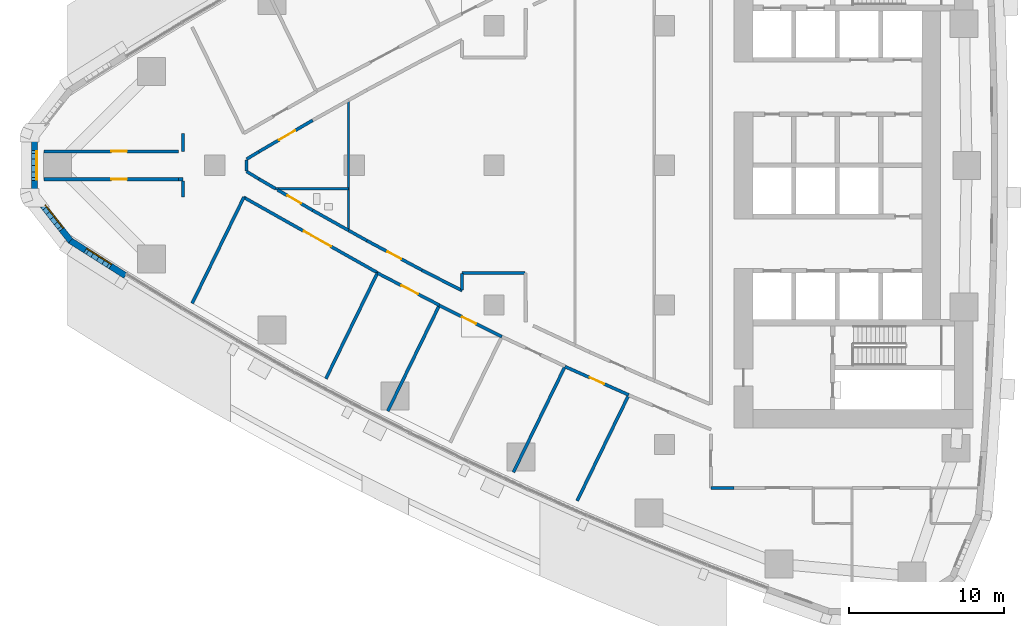
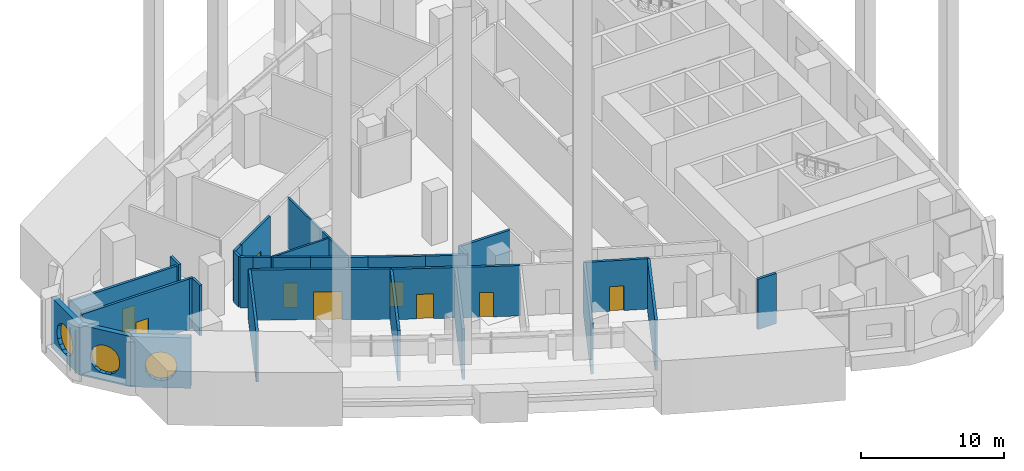
# One storey, part 9 of 20: 32 walls, 9 doors, 3 windows, 12 openings.
"""IFC4 building model written with IfcOpenShell, lengths in metres."""

from ifc_helpers import new_model, si_unit, direction, frame, frame_2d, origin, place, context, subcontext, project, spatial, polyline, rectangle, outline, extrude, material, layer, layer_set, type_object, element, fill, save


model = new_model("IFC4")

# Units and contexts
model_context = context("Model", 3, precision=1e-05, world=origin(), true_north=direction((0.0, 1.0)))
body_context = subcontext(model_context, "Body", "Model", "MODEL_VIEW")
ifc_project = project(units=[si_unit("LENGTHUNIT", "METRE"), si_unit("AREAUNIT", "SQUARE_METRE"), si_unit("VOLUMEUNIT", "CUBIC_METRE"), si_unit("PLANEANGLEUNIT", "RADIAN"), si_unit("MASSUNIT", "GRAM", prefix="KILO")], contexts=[model_context])

# Site, building, storey
site_placement = place(None, origin())
site = spatial("IfcSite", under=ifc_project, at=site_placement, CompositionType="ELEMENT")
building_placement = place(site_placement, origin())
building = spatial("IfcBuilding", under=site, at=building_placement, Name="Ostrand Prow Hotel Tower", CompositionType="ELEMENT")
storey_placement = place(building_placement, frame((0.0, 0.0, 35.0)))
storey = spatial("IfcBuildingStorey", under=building, at=storey_placement, Name="L06", CompositionType="ELEMENT", Elevation=35.0)

# Walls
ifc_material_1 = material(Name="Plasterboard partition")
ifc_layer_1 = layer(ifc_material_1, 0.14990234375)
ifc_layer_set_1 = layer_set([ifc_layer_1], Name="Plasterboard partition")
wall_type_1 = type_object("IfcWallType", Name="Partition 150 room partition", PredefinedType="PARTITIONING", material=ifc_layer_set_1)
wall_1_placement = place(storey_placement, frame((19.92578125, -1.510498046875, 0.0), z_axis=(0.0, 0.0, 1.0), x_axis=(1.0, 0.0, 0.0)))
element("IfcWall", 1, at=wall_1_placement, inside=storey, type_object=wall_type_1, Name="ROOM PARTITION", PredefinedType="PARTITIONING", context=body_context, shape_type="SweptSolid", body=[
    extrude(rectangle(XDim=4.69873046875, YDim=0.14990234375, at=frame_2d((2.349365234375, 0.0))), origin(), (0.0, 0.0, 1.0), 4.300048828125),
])
wall_2_placement = place(storey_placement, frame((24.62451171875, -4.196044921875, 0.0), z_axis=(0.0, 0.0, 1.0), x_axis=(0.0, 1.0, 0.0)))
element("IfcWall", 2, at=wall_2_placement, inside=storey, type_object=wall_type_1, Name="ROOM PARTITION", PredefinedType="PARTITIONING", context=body_context, shape_type="SweptSolid", body=[
    extrude(rectangle(XDim=8.39208984375, YDim=0.14990234375, at=frame_2d((4.196044921875, 0.0))), origin(), (0.0, 0.0, 1.0), 4.300048828125),
])

# Wall, opening, door
ifc_material_2 = material(Name="Plasterboard partition")
ifc_layer_2 = layer(ifc_material_2, 0.199951171875)
ifc_layer_set_2 = layer_set([ifc_layer_2], Name="Plasterboard partition")
wall_type_2 = type_object("IfcWallType", Name="Partition 200 corridor wall", PredefinedType="PARTITIONING", material=ifc_layer_set_2)
wall_3_placement = place(storey_placement, frame((17.87353515625, -2.068115234375, 0.0), z_axis=(0.0, 0.0, 1.0), x_axis=(0.871165632804, -0.490989246544, 0.0)))
wall_3 = element("IfcWall", 3, at=wall_3_placement, inside=storey, type_object=wall_type_2, Name="CORRIDOR WALL", PredefinedType="PARTITIONING", context=body_context, shape_type="SweptSolid", body=[
    extrude(rectangle(XDim=9.901123046875, YDim=0.199951171875, at=frame_2d((4.95068359375, 0.0))), origin(), (0.0, 0.0, 1.0), 4.300048828125),
])
opening_1_placement = place(wall_3_placement, frame((4.45068359375, 0.0, 0.0)))
opening_1 = element("IfcOpeningElement", 4, at=opening_1_placement, cuts=wall_3, Name="Opening D20", PredefinedType="OPENING", context=body_context, shape_type="SweptSolid", body=[
    extrude(rectangle(XDim=2.0, YDim=2.39990234375, at=frame_2d((1.0, 1.199951171875))), frame((0.0, 0.10986328125, 0.0), z_axis=(0.0, -1.0, 0.0), x_axis=(1.0, 0.0, 0.0)), (0.0, 0.0, 1.0), 0.219970703125),
])
ifc_material_3 = material(Name="Timber door leaf", Category="wood")
door_type_1 = type_object("IfcDoorType", Name="Double door 2000", OperationType="DOUBLE_DOOR_SINGLE_SWING", PredefinedType="DOOR", material=ifc_material_3)
door_1_placement = place(opening_1_placement, origin())
door_1 = element("IfcDoor", 5, at=door_1_placement, inside=storey, type_object=door_type_1, Name="DOOR", OperationType="DOUBLE_DOOR_SINGLE_SWING", OverallHeight=2.39990234375, OverallWidth=2.0, PredefinedType="DOOR", context=body_context, shape_type="SweptSolid", body=[
    extrude(rectangle(XDim=2.0, YDim=2.39990234375, at=frame_2d((1.0, 1.199951171875))), frame((0.0, 0.02490234375, 0.0), z_axis=(0.0, -1.0, 0.0), x_axis=(1.0, 0.0, 0.0)), (0.0, 0.0, 1.0), 0.050048828125),
])
fill(opening_1, door_1)

wall_4_placement = place(storey_placement, frame((26.490234375, -6.947509765625, 0.0), z_axis=(0.0, 0.0, 1.0), x_axis=(0.887638836985, -0.460540220911, 0.0)))
wall_4 = element("IfcWall", 6, at=wall_4_placement, inside=storey, type_object=wall_type_2, Name="CORRIDOR WALL", PredefinedType="PARTITIONING", context=body_context, shape_type="SweptSolid", body=[
    extrude(rectangle(XDim=4.50439453125, YDim=0.199951171875, at=frame_2d((2.252197265625, 0.0))), origin(), (0.0, 0.0, 1.0), 4.300048828125),
])
opening_2_placement = place(wall_4_placement, frame((1.752197265625, 0.0, 0.0)))
opening_2 = element("IfcOpeningElement", 7, at=opening_2_placement, cuts=wall_4, Name="Opening D12", PredefinedType="OPENING", context=body_context, shape_type="SweptSolid", body=[
    extrude(rectangle(XDim=1.199951171875, YDim=2.10009765625, at=frame_2d((0.60009765625, 1.050048828125))), frame((0.0, 0.10986328125, 0.0), z_axis=(0.0, -1.0, 0.0), x_axis=(1.0, 0.0, 0.0)), (0.0, 0.0, 1.0), 0.219970703125),
])
ifc_material_4 = material(Name="Steel service door", Category="steel")
door_type_2 = type_object("IfcDoorType", Name="Service door 1200", OperationType="SINGLE_SWING_RIGHT", PredefinedType="DOOR", material=ifc_material_4)
door_2_placement = place(opening_2_placement, origin())
door_2 = element("IfcDoor", 8, at=door_2_placement, inside=storey, type_object=door_type_2, Name="DOOR", OperationType="SINGLE_SWING_RIGHT", OverallHeight=2.10009765625, OverallWidth=1.199951171875, PredefinedType="DOOR", context=body_context, shape_type="SweptSolid", body=[
    extrude(rectangle(XDim=1.199951171875, YDim=2.10009765625, at=frame_2d((0.60009765625, 1.050048828125))), frame((0.0, 0.02490234375, 0.0), z_axis=(0.0, -1.0, 0.0), x_axis=(1.0, 0.0, 0.0)), (0.0, 0.0, 1.0), 0.050048828125),
])
fill(opening_2, door_2)

wall_5_placement = place(storey_placement, frame((30.479736328125, -9.039794921875, 0.0), z_axis=(0.0, 0.0, 1.0), x_axis=(0.894989913054, -0.446086376761, 0.0)))
wall_5 = element("IfcWall", 9, at=wall_5_placement, inside=storey, type_object=wall_type_2, Name="CORRIDOR WALL", PredefinedType="PARTITIONING", context=body_context, shape_type="SweptSolid", body=[
    extrude(rectangle(XDim=4.50634765625, YDim=0.199951171875, at=frame_2d((2.253173828125, 0.0))), origin(), (0.0, 0.0, 1.0), 4.300048828125),
])
opening_3_placement = place(wall_5_placement, frame((1.64990234375, 0.0, 0.0)))
opening_3 = element("IfcOpeningElement", 10, at=opening_3_placement, cuts=wall_5, Name="Opening D1", PredefinedType="OPENING", context=body_context, shape_type="SweptSolid", body=[
    extrude(rectangle(XDim=1.0, YDim=2.10009765625, at=frame_2d((0.5, 1.050048828125))), frame((0.0, 0.10986328125, 0.0), z_axis=(0.0, -1.0, 0.0), x_axis=(1.0, 0.0, 0.0)), (0.0, 0.0, 1.0), 0.219970703125),
])
ifc_material_5 = material(Name="Timber door leaf", Category="wood")
door_type_3 = type_object("IfcDoorType", Name="Guest room door 1000", OperationType="SINGLE_SWING_LEFT", PredefinedType="DOOR", material=ifc_material_5)
door_3_placement = place(opening_3_placement, origin())
door_3 = element("IfcDoor", 11, at=door_3_placement, inside=storey, type_object=door_type_3, Name="DOOR", OperationType="SINGLE_SWING_LEFT", OverallHeight=2.10009765625, OverallWidth=1.0, PredefinedType="DOOR", context=body_context, shape_type="SweptSolid", body=[
    extrude(rectangle(XDim=1.0, YDim=2.10009765625, at=frame_2d((0.5, 1.050048828125))), frame((0.0, 0.02490234375, 0.0), z_axis=(0.0, -1.0, 0.0), x_axis=(1.0, 0.0, 0.0)), (0.0, 0.0, 1.0), 0.050048828125),
])
fill(opening_3, door_3)

wall_6_placement = place(storey_placement, frame((38.584716796875, -12.981201171875, 0.0), z_axis=(0.0, 0.0, 1.0), x_axis=(0.914010307464, -0.40569096348, 0.0)))
wall_6 = element("IfcWall", 12, at=wall_6_placement, inside=storey, type_object=wall_type_2, Name="CORRIDOR WALL", PredefinedType="PARTITIONING", context=body_context, shape_type="SweptSolid", body=[
    extrude(rectangle(XDim=4.505615234375, YDim=0.199951171875, at=frame_2d((2.2529296875, 0.0))), origin(), (0.0, 0.0, 1.0), 4.300048828125),
])
opening_4_placement = place(wall_6_placement, frame((1.752685546875, 0.0, 0.0)))
opening_4 = element("IfcOpeningElement", 13, at=opening_4_placement, cuts=wall_6, Name="Opening D1", PredefinedType="OPENING", context=body_context, shape_type="SweptSolid", body=[
    extrude(rectangle(XDim=1.0, YDim=2.10009765625, at=frame_2d((0.5, 1.050048828125))), frame((0.0, 0.10986328125, 0.0), z_axis=(0.0, -1.0, 0.0), x_axis=(1.0, 0.0, 0.0)), (0.0, 0.0, 1.0), 0.219970703125),
])
door_4_placement = place(opening_4_placement, origin())
door_4 = element("IfcDoor", 14, at=door_4_placement, inside=storey, type_object=door_type_3, Name="DOOR", OperationType="SINGLE_SWING_LEFT", OverallHeight=2.10009765625, OverallWidth=1.0, PredefinedType="DOOR", context=body_context, shape_type="SweptSolid", body=[
    extrude(rectangle(XDim=1.0, YDim=2.10009765625, at=frame_2d((0.5, 1.050048828125))), frame((0.0, 0.02490234375, 0.0), z_axis=(0.0, -1.0, 0.0), x_axis=(1.0, 0.0, 0.0)), (0.0, 0.0, 1.0), 0.050048828125),
])
fill(opening_4, door_4)

wall_7_placement = place(storey_placement, frame((22.31201171875, -2.903076171875, 0.0), z_axis=(0.0, 0.0, 1.0), x_axis=(-0.863687380961, 0.504027884118, 0.0)))
wall_7 = element("IfcWall", 15, at=wall_7_placement, inside=storey, type_object=wall_type_2, Name="CORRIDOR WALL", PredefinedType="PARTITIONING", context=body_context, shape_type="SweptSolid", body=[
    extrude(rectangle(XDim=2.61279296875, YDim=0.199951171875, at=frame_2d((1.306396484375, 0.0))), origin(), (0.0, 0.0, 1.0), 4.300048828125),
])
opening_5_placement = place(wall_7_placement, frame((0.88134765625, 0.0, 0.0)))
opening_5 = element("IfcOpeningElement", 16, at=opening_5_placement, cuts=wall_7, Name="Opening D1", PredefinedType="OPENING", context=body_context, shape_type="SweptSolid", body=[
    extrude(rectangle(XDim=1.0, YDim=2.10009765625, at=frame_2d((0.5, 1.050048828125))), frame((0.0, 0.10986328125, 0.0), z_axis=(0.0, -1.0, 0.0), x_axis=(1.0, 0.0, 0.0)), (0.0, 0.0, 1.0), 0.219970703125),
])
door_5_placement = place(opening_5_placement, origin())
door_5 = element("IfcDoor", 17, at=door_5_placement, inside=storey, type_object=door_type_3, Name="DOOR", OperationType="SINGLE_SWING_LEFT", OverallHeight=2.10009765625, OverallWidth=1.0, PredefinedType="DOOR", context=body_context, shape_type="SweptSolid", body=[
    extrude(rectangle(XDim=1.0, YDim=2.10009765625, at=frame_2d((0.5, 1.050048828125))), frame((0.0, 0.02490234375, 0.0), z_axis=(0.0, -1.0, 0.0), x_axis=(1.0, 0.0, 0.0)), (0.0, 0.0, 1.0), 0.050048828125),
])
fill(opening_5, door_5)

# Wall
wall_8_placement = place(storey_placement, frame((24.62451171875, -4.196044921875, 0.0), z_axis=(0.0, 0.0, 1.0), x_axis=(-0.87283266248, 0.48801961365, 0.0)))
element("IfcWall", 18, at=wall_8_placement, inside=storey, type_object=wall_type_2, Name="CORRIDOR WALL", PredefinedType="PARTITIONING", context=body_context, shape_type="SweptSolid", body=[
    extrude(rectangle(XDim=2.6494140625, YDim=0.199951171875, at=frame_2d((1.32470703125, 0.0))), origin(), (0.0, 0.0, 1.0), 4.300048828125),
])

# Wall, opening, door
wall_9_placement = place(storey_placement, frame((18.843505859375, 0.879150390625, 0.0), z_axis=(0.0, 0.0, 1.0), x_axis=(0.863710538269, 0.503988200341, 0.0)))
wall_9 = element("IfcWall", 19, at=wall_9_placement, inside=storey, type_object=wall_type_2, Name="CORRIDOR WALL", PredefinedType="PARTITIONING", context=body_context, shape_type="SweptSolid", body=[
    extrude(rectangle(XDim=4.015869140625, YDim=0.199951171875, at=frame_2d((2.0078125, 0.0))), origin(), (0.0, 0.0, 1.0), 4.300048828125),
])
opening_6_placement = place(wall_9_placement, frame((1.5078125, 0.0, 0.0)))
opening_6 = element("IfcOpeningElement", 20, at=opening_6_placement, cuts=wall_9, Name="Opening D12", PredefinedType="OPENING", context=body_context, shape_type="SweptSolid", body=[
    extrude(rectangle(XDim=1.199951171875, YDim=2.10009765625, at=frame_2d((0.60009765625, 1.050048828125))), frame((0.0, 0.10986328125, 0.0), z_axis=(0.0, -1.0, 0.0), x_axis=(1.0, 0.0, 0.0)), (0.0, 0.0, 1.0), 0.219970703125),
])
door_6_placement = place(opening_6_placement, origin())
door_6 = element("IfcDoor", 21, at=door_6_placement, inside=storey, type_object=door_type_2, Name="DOOR", OperationType="SINGLE_SWING_RIGHT", OverallHeight=2.10009765625, OverallWidth=1.199951171875, PredefinedType="DOOR", context=body_context, shape_type="SweptSolid", body=[
    extrude(rectangle(XDim=1.199951171875, YDim=2.10009765625, at=frame_2d((0.60009765625, 1.050048828125))), frame((0.0, 0.02490234375, 0.0), z_axis=(0.0, -1.0, 0.0), x_axis=(1.0, 0.0, 0.0)), (0.0, 0.0, 1.0), 0.050048828125),
])
fill(opening_6, door_6)

# Walls
for number, where, z_axis, x_axis, name in (
    (22, (18.843505859375, -0.879150390625, 0.0), (0.0, 0.0, 1.0), (-0.8542290073, 0.519896915828, 0.0), "CORRIDOR WALL"),
    (23, (18.050048828125, 0.396240234375, 0.0), (0.0, 0.0, 1.0), (0.8542290073, 0.519896915828, 0.0), "CORRIDOR WALL"),
):
    element("IfcWall", number, at=place(storey_placement, frame(where, z_axis=z_axis, x_axis=x_axis)), inside=storey, type_object=wall_type_2, Name=name, PredefinedType="PARTITIONING", context=body_context, shape_type="SweptSolid", body=[
        extrude(rectangle(XDim=0.928955078125, YDim=0.199951171875, at=frame_2d((0.46435546875, 0.0))), origin(), (0.0, 0.0, 1.0), 4.300048828125),
    ])
wall_10_placement = place(storey_placement, frame((19.92578125, -1.510498046875, 0.0), z_axis=(0.0, 0.0, 1.0), x_axis=(-0.8637718337, 0.503883140525, 0.0)))
element("IfcWall", 24, at=wall_10_placement, inside=storey, type_object=wall_type_2, Name="CORRIDOR WALL", PredefinedType="PARTITIONING", context=body_context, shape_type="SweptSolid", body=[
    extrude(rectangle(XDim=1.2529296875, YDim=0.199951171875, at=frame_2d((0.62646484375, 0.0))), origin(), (0.0, 0.0, 1.0), 4.300048828125),
])

# Wall, opening, door
wall_11_placement = place(storey_placement, frame((29.357421875, -6.758056640625, 0.0), z_axis=(0.0, 0.0, 1.0), x_axis=(-0.881655245922, 0.471894084874, 0.0)))
wall_11 = element("IfcWall", 25, at=wall_11_placement, inside=storey, type_object=wall_type_2, Name="CORRIDOR WALL", PredefinedType="PARTITIONING", context=body_context, shape_type="SweptSolid", body=[
    extrude(rectangle(XDim=4.015869140625, YDim=0.199951171875, at=frame_2d((2.0078125, 0.0))), origin(), (0.0, 0.0, 1.0), 4.300048828125),
])
opening_7_placement = place(wall_11_placement, frame((1.5078125, 0.0, 0.0)))
opening_7 = element("IfcOpeningElement", 26, at=opening_7_placement, cuts=wall_11, Name="Opening D1", PredefinedType="OPENING", context=body_context, shape_type="SweptSolid", body=[
    extrude(rectangle(XDim=1.0, YDim=2.10009765625, at=frame_2d((0.5, 1.050048828125))), frame((0.0, 0.10986328125, 0.0), z_axis=(0.0, -1.0, 0.0), x_axis=(1.0, 0.0, 0.0)), (0.0, 0.0, 1.0), 0.219970703125),
])
door_7_placement = place(opening_7_placement, origin())
door_7 = element("IfcDoor", 27, at=door_7_placement, inside=storey, type_object=door_type_3, Name="DOOR", OperationType="SINGLE_SWING_LEFT", OverallHeight=2.10009765625, OverallWidth=1.0, PredefinedType="DOOR", context=body_context, shape_type="SweptSolid", body=[
    extrude(rectangle(XDim=1.0, YDim=2.10009765625, at=frame_2d((0.5, 1.050048828125))), frame((0.0, 0.02490234375, 0.0), z_axis=(0.0, -1.0, 0.0), x_axis=(1.0, 0.0, 0.0)), (0.0, 0.0, 1.0), 0.050048828125),
])
fill(opening_7, door_7)

# Walls
wall_12_placement = place(storey_placement, frame((31.949951171875, -8.084716796875, 0.0), z_axis=(0.0, 0.0, 1.0), x_axis=(-0.890213377055, 0.455543788579, 0.0)))
element("IfcWall", 28, at=wall_12_placement, inside=storey, type_object=wall_type_2, Name="CORRIDOR WALL", PredefinedType="PARTITIONING", context=body_context, shape_type="SweptSolid", body=[
    extrude(rectangle(XDim=2.912353515625, YDim=0.199951171875, at=frame_2d((1.4560546875, 0.0))), origin(), (0.0, 0.0, 1.0), 4.300048828125),
])
wall_13_placement = place(storey_placement, frame((25.81689453125, -4.863037109375, 0.0), z_axis=(0.0, 0.0, 1.0), x_axis=(-0.872737500828, 0.488189773191, 0.0)))
element("IfcWall", 29, at=wall_13_placement, inside=storey, type_object=wall_type_2, Name="CORRIDOR WALL", PredefinedType="PARTITIONING", context=body_context, shape_type="SweptSolid", body=[
    extrude(rectangle(XDim=1.3662109375, YDim=0.199951171875, at=frame_2d((0.68310546875, 0.0))), origin(), (0.0, 0.0, 1.0), 4.300048828125),
])

# Wall, opening, door
wall_14_placement = place(storey_placement, frame((4.977294921875, 0.89990234375, 0.0), z_axis=(0.0, 0.0, 1.0), x_axis=(1.0, 0.0, 0.0)))
wall_14 = element("IfcWall", 30, at=wall_14_placement, inside=storey, type_object=wall_type_2, Name="CORRIDOR WALL", PredefinedType="PARTITIONING", context=body_context, shape_type="SweptSolid", body=[
    extrude(rectangle(XDim=8.672607421875, YDim=0.199951171875, at=frame_2d((4.33642578125, 0.0))), origin(), (0.0, 0.0, 1.0), 4.300048828125),
])
opening_8_placement = place(wall_14_placement, frame((4.344970703125, 0.0, 0.0)))
opening_8 = element("IfcOpeningElement", 31, at=opening_8_placement, cuts=wall_14, Name="Opening D1", PredefinedType="OPENING", context=body_context, shape_type="SweptSolid", body=[
    extrude(rectangle(XDim=1.0, YDim=2.10009765625, at=frame_2d((0.5, 1.050048828125))), frame((0.0, 0.10986328125, 0.0), z_axis=(0.0, -1.0, 0.0), x_axis=(1.0, 0.0, 0.0)), (0.0, 0.0, 1.0), 0.219970703125),
])
door_8_placement = place(opening_8_placement, origin())
door_8 = element("IfcDoor", 32, at=door_8_placement, inside=storey, type_object=door_type_3, Name="DOOR", OperationType="SINGLE_SWING_LEFT", OverallHeight=2.10009765625, OverallWidth=1.0, PredefinedType="DOOR", context=body_context, shape_type="SweptSolid", body=[
    extrude(rectangle(XDim=1.0, YDim=2.10009765625, at=frame_2d((0.5, 1.050048828125))), frame((0.0, 0.02490234375, 0.0), z_axis=(0.0, -1.0, 0.0), x_axis=(1.0, 0.0, 0.0)), (0.0, 0.0, 1.0), 0.050048828125),
])
fill(opening_8, door_8)

wall_15_placement = place(storey_placement, frame((4.977294921875, -0.89990234375, 0.0), z_axis=(0.0, 0.0, 1.0), x_axis=(1.0, 0.0, 0.0)))
wall_15 = element("IfcWall", 33, at=wall_15_placement, inside=storey, type_object=wall_type_2, Name="CORRIDOR WALL", PredefinedType="PARTITIONING", context=body_context, shape_type="SweptSolid", body=[
    extrude(rectangle(XDim=8.672607421875, YDim=0.199951171875, at=frame_2d((4.33642578125, 0.0))), origin(), (0.0, 0.0, 1.0), 4.300048828125),
])
opening_9_placement = place(wall_15_placement, frame((4.344970703125, 0.0, 0.0)))
opening_9 = element("IfcOpeningElement", 34, at=opening_9_placement, cuts=wall_15, Name="Opening D1R", PredefinedType="OPENING", context=body_context, shape_type="SweptSolid", body=[
    extrude(rectangle(XDim=1.0, YDim=2.10009765625, at=frame_2d((0.5, 1.050048828125))), frame((0.0, 0.10986328125, 0.0), z_axis=(0.0, -1.0, 0.0), x_axis=(1.0, 0.0, 0.0)), (0.0, 0.0, 1.0), 0.219970703125),
])
ifc_material_6 = material(Name="Timber door leaf", Category="wood")
door_type_4 = type_object("IfcDoorType", Name="Guest room door 1000 right", OperationType="SINGLE_SWING_RIGHT", PredefinedType="DOOR", material=ifc_material_6)
door_9_placement = place(opening_9_placement, origin())
door_9 = element("IfcDoor", 35, at=door_9_placement, inside=storey, type_object=door_type_4, Name="DOOR", OperationType="SINGLE_SWING_RIGHT", OverallHeight=2.10009765625, OverallWidth=1.0, PredefinedType="DOOR", context=body_context, shape_type="SweptSolid", body=[
    extrude(rectangle(XDim=1.0, YDim=2.10009765625, at=frame_2d((0.5, 1.050048828125))), frame((0.0, 0.02490234375, 0.0), z_axis=(0.0, -1.0, 0.0), x_axis=(1.0, 0.0, 0.0)), (0.0, 0.0, 1.0), 0.050048828125),
])
fill(opening_9, door_9)

# Walls
wall_16_placement = place(storey_placement, frame((18.054931640625, -0.356689453125, 0.0), z_axis=(0.0, 0.0, 1.0), x_axis=(0.0, 1.0, 0.0)))
element("IfcWall", 36, at=wall_16_placement, inside=storey, type_object=wall_type_2, Name="CORRIDOR WALL", PredefinedType="PARTITIONING", context=body_context, shape_type="SweptSolid", body=[
    extrude(rectangle(XDim=0.71337890625, YDim=0.199951171875, at=frame_2d((0.356689453125, 0.0))), origin(), (0.0, 0.0, 1.0), 4.300048828125),
])
wall_17_placement = place(storey_placement, frame((36.012451171875, -6.945556640625, 0.0), z_axis=(0.0, 0.0, 1.0), x_axis=(-0.999999998196, 6.0074492e-05, 0.0)))
element("IfcWall", 37, at=wall_17_placement, inside=storey, type_object=wall_type_2, Name="CORRIDOR WALL", PredefinedType="PARTITIONING", context=body_context, shape_type="SweptSolid", body=[
    extrude(rectangle(XDim=4.06396484375, YDim=0.199951171875, at=frame_2d((2.031982421875, 0.0))), origin(), (0.0, 0.0, 1.0), 4.300048828125),
])
wall_18_placement = place(storey_placement, frame((31.948486328125, -6.985107421875, 0.0), z_axis=(0.0, 0.0, 1.0), x_axis=(-0.003248242724, -0.999994724446, 0.0)))
element("IfcWall", 38, at=wall_18_placement, inside=storey, type_object=wall_type_2, Name="CORRIDOR WALL", PredefinedType="PARTITIONING", context=body_context, shape_type="SweptSolid", body=[
    extrude(rectangle(XDim=1.05224609375, YDim=0.199951171875, at=frame_2d((0.526123046875, 0.0))), origin(), (0.0, 0.0, 1.0), 4.300048828125),
])
wall_19_placement = place(storey_placement, frame((13.945556640625, 2.052490234375, 0.0), z_axis=(0.0, 0.0, 1.0), x_axis=(-0.000423818568, -0.999999910189, 0.0)))
element("IfcWall", 39, at=wall_19_placement, inside=storey, type_object=wall_type_2, Name="CORRIDOR WALL", PredefinedType="PARTITIONING", context=body_context, shape_type="SweptSolid", body=[
    extrude(rectangle(XDim=1.152099609375, YDim=0.199951171875, at=frame_2d((0.576171875, 0.0))), origin(), (0.0, 0.0, 1.0), 4.300048828125),
])
wall_20_placement = place(storey_placement, frame((13.64990234375, -0.89990234375, 0.0), z_axis=(0.0, 0.0, 1.0), x_axis=(0.99999876, -0.001574801197, 0.0)))
element("IfcWall", 40, at=wall_20_placement, inside=storey, type_object=wall_type_2, Name="CORRIDOR WALL", PredefinedType="PARTITIONING", context=body_context, shape_type="SweptSolid", body=[
    extrude(rectangle(XDim=0.31005859375, YDim=0.199951171875, at=frame_2d((0.155029296875, 0.0))), origin(), (0.0, 0.0, 1.0), 4.300048828125),
])
wall_21_placement = place(storey_placement, frame((13.945068359375, -1.0205078125, 0.0), z_axis=(0.0, 0.0, 1.0), x_axis=(0.000473148752, -0.999999888065, 0.0)))
element("IfcWall", 41, at=wall_21_placement, inside=storey, type_object=wall_type_2, Name="CORRIDOR WALL", PredefinedType="PARTITIONING", context=body_context, shape_type="SweptSolid", body=[
    extrude(rectangle(XDim=1.031982421875, YDim=0.199951171875, at=frame_2d((0.51611328125, 0.0))), origin(), (0.0, 0.0, 1.0), 4.300048828125),
])
wall_22_placement = place(storey_placement, frame((47.995849609375, -20.802734375, 0.0), z_axis=(0.0, 0.0, 1.0), x_axis=(0.999998933031, -0.001460800259, 0.0)))
element("IfcWall", 42, at=wall_22_placement, inside=storey, type_object=wall_type_2, Name="CORRIDOR WALL", PredefinedType="PARTITIONING", context=body_context, shape_type="SweptSolid", body=[
    extrude(rectangle(XDim=1.504150390625, YDim=0.199951171875, at=frame_2d((0.751953125, 0.0))), origin(), (0.0, 0.0, 1.0), 4.300048828125),
])
ifc_material_7 = material(Name="Plasterboard partition")
ifc_layer_3 = layer(ifc_material_7, 0.199951171875)
ifc_layer_set_3 = layer_set([ifc_layer_3], Name="Plasterboard partition")
wall_type_3 = type_object("IfcWallType", Name="Partition 200 key partition", PredefinedType="PARTITIONING", material=ifc_layer_set_3)
wall_23_placement = place(storey_placement, frame((14.540771484375, -8.904296875, 0.0), z_axis=(0.0, 0.0, 1.0), x_axis=(0.438213564788, 0.898870887078, 0.0)))
element("IfcWall", 43, at=wall_23_placement, inside=storey, type_object=wall_type_3, Name="KEY PARTITION", PredefinedType="PARTITIONING", context=body_context, shape_type="SweptSolid", body=[
    extrude(rectangle(XDim=7.62548828125, YDim=0.199951171875, at=frame_2d((3.812744140625, 0.0))), origin(), (0.0, 0.0, 1.0), 4.300048828125),
])
wall_24_placement = place(storey_placement, frame((23.166259765625, -13.765625, 0.0), z_axis=(0.0, 0.0, 1.0), x_axis=(0.438215539964, 0.898869924146, 0.0)))
element("IfcWall", 44, at=wall_24_placement, inside=storey, type_object=wall_type_3, Name="KEY PARTITION", PredefinedType="PARTITIONING", context=body_context, shape_type="SweptSolid", body=[
    extrude(rectangle(XDim=7.605224609375, YDim=0.199951171875, at=frame_2d((3.802734375, 0.0))), origin(), (0.0, 0.0, 1.0), 4.300048828125),
])
wall_25_placement = place(storey_placement, frame((27.157470703125, -15.8544921875, 0.0), z_axis=(0.0, 0.0, 1.0), x_axis=(0.43822365664, 0.898865967072, 0.0)))
element("IfcWall", 45, at=wall_25_placement, inside=storey, type_object=wall_type_3, Name="KEY PARTITION", PredefinedType="PARTITIONING", context=body_context, shape_type="SweptSolid", body=[
    extrude(rectangle(XDim=7.601318359375, YDim=0.199951171875, at=frame_2d((3.80078125, 0.0))), origin(), (0.0, 0.0, 1.0), 4.300048828125),
])
wall_26_placement = place(storey_placement, frame((35.2626953125, -19.7958984375, 0.0), z_axis=(0.0, 0.0, 1.0), x_axis=(0.438197705697, 0.898878618459, 0.0)))
element("IfcWall", 46, at=wall_26_placement, inside=storey, type_object=wall_type_3, Name="KEY PARTITION", PredefinedType="PARTITIONING", context=body_context, shape_type="SweptSolid", body=[
    extrude(rectangle(XDim=7.60107421875, YDim=0.199951171875, at=frame_2d((3.800537109375, 0.0))), origin(), (0.0, 0.0, 1.0), 4.300048828125),
])
wall_27_placement = place(storey_placement, frame((39.370361328125, -21.64501953125, 0.0), z_axis=(0.0, 0.0, 1.0), x_axis=(0.438202247191, 0.898876404494, 0.0)))
element("IfcWall", 47, at=wall_27_placement, inside=storey, type_object=wall_type_3, Name="KEY PARTITION", PredefinedType="PARTITIONING", context=body_context, shape_type="SweptSolid", body=[
    extrude(rectangle(XDim=7.60498046875, YDim=0.199951171875, at=frame_2d((3.802490234375, 0.0))), origin(), (0.0, 0.0, 1.0), 4.300048828125),
])

# Wall, opening, window
ifc_material_8 = material(Name="Precast concrete C40/50", Category="concrete")
ifc_layer_4 = layer(ifc_material_8, 0.39990234375)
ifc_layer_set_4 = layer_set([ifc_layer_4], Name="Precast concrete C40/50")
wall_type_4 = type_object("IfcWallType", Name="Stone-faced precast wall 400 mm", PredefinedType="NOTDEFINED", material=ifc_layer_set_4)
wall_28_placement = place(storey_placement, frame((4.365478515625, 1.891357421875, 0.0), z_axis=(0.0, 0.0, 1.0), x_axis=(0.0, -1.0, 0.0)))
wall_28 = element("IfcWall", 48, at=wall_28_placement, inside=storey, type_object=wall_type_4, Name="Stone-faced wall prow 3", PredefinedType="NOTDEFINED", context=body_context, shape_type="SweptSolid", body=[
    extrude(outline(polyline([(-0.069091796875, -0.199951171875), (3.851806640625, -0.199951171875), (3.713623046875, 0.199951171875), (0.069091796875, 0.199951171875), (-0.069091796875, -0.199951171875)])), origin(), (0.0, 0.0, 1.0), 4.300048828125),
])
opening_10_placement = place(wall_28_placement, frame((0.79150390625, 0.0, 0.60009765625)))
opening_10 = element("IfcOpeningElement", 49, at=opening_10_placement, cuts=wall_28, Name="Opening WP2", PredefinedType="OPENING", context=body_context, shape_type="SweptSolid", body=[
    extrude(outline(polyline([(0.0, 1.35009765625), (0.083740234375, 1.77099609375), (0.322265625, 2.127685546875), (0.678955078125, 2.3662109375), (1.10009765625, 2.449951171875), (1.52099609375, 2.3662109375), (1.877685546875, 2.127685546875), (2.1162109375, 1.77099609375), (2.199951171875, 1.35009765625), (2.199951171875, 1.10009765625), (2.1162109375, 0.678955078125), (1.877685546875, 0.322265625), (1.52099609375, 0.083740234375), (1.10009765625, 0.0), (0.678955078125, 0.083740234375), (0.322265625, 0.322265625), (0.083740234375, 0.678955078125), (0.0, 1.099853515625), (0.0, 1.35009765625)])), frame((0.0, 0.2099609375, 0.0), z_axis=(0.0, -1.0, 0.0), x_axis=(1.0, 0.0, 0.0)), (0.0, 0.0, 1.0), 0.419921875),
])
ifc_material_9 = material(Name="Insulated glass in bronze frame", Category="glass")
window_type = type_object("IfcWindowType", Name="Round-ended prow lounge window 2200x2450", PartitioningType="SINGLE_PANEL", PredefinedType="WINDOW", material=ifc_material_9)
window_1_placement = place(opening_10_placement, origin())
window_1 = element("IfcWindow", 50, at=window_1_placement, inside=storey, type_object=window_type, Name="Window prow 3.1", OverallHeight=2.449951171875, OverallWidth=2.199951171875, PartitioningType="SINGLE_PANEL", PredefinedType="WINDOW", context=body_context, shape_type="SweptSolid", body=[
    extrude(outline(polyline([(0.0, 1.35009765625), (0.083740234375, 1.77099609375), (0.322265625, 2.127685546875), (0.678955078125, 2.3662109375), (1.10009765625, 2.449951171875), (1.52099609375, 2.3662109375), (1.877685546875, 2.127685546875), (2.1162109375, 1.77099609375), (2.199951171875, 1.35009765625), (2.199951171875, 1.10009765625), (2.1162109375, 0.678955078125), (1.877685546875, 0.322265625), (1.52099609375, 0.083740234375), (1.10009765625, 0.0), (0.678955078125, 0.083740234375), (0.322265625, 0.322265625), (0.083740234375, 0.678955078125), (0.0, 1.099853515625), (0.0, 1.35009765625)])), frame((0.0, 0.169921875, 0.0), z_axis=(0.0, -1.0, 0.0), x_axis=(1.0, 0.0, 0.0)), (0.0, 0.0, 1.0), 0.06005859375),
])
fill(opening_10, window_1)

wall_29_placement = place(storey_placement, frame((4.365478515625, -1.891357421875, 0.0), z_axis=(0.0, 0.0, 1.0), x_axis=(0.616586647779, -0.787287054245, 0.0)))
wall_29 = element("IfcWall", 51, at=wall_29_placement, inside=storey, type_object=wall_type_4, Name="Stone-faced wall prow 4", PredefinedType="NOTDEFINED", context=body_context, shape_type="SweptSolid", body=[
    extrude(outline(polyline([(-0.069091796875, -0.199951171875), (3.8173828125, -0.199951171875), (3.74853515625, 0.199951171875), (0.069091796875, 0.199951171875), (-0.069091796875, -0.199951171875)])), origin(), (0.0, 0.0, 1.0), 4.300048828125),
])
opening_11_placement = place(wall_29_placement, frame((0.79150390625, 0.0, 0.60009765625)))
opening_11 = element("IfcOpeningElement", 52, at=opening_11_placement, cuts=wall_29, Name="Opening WP2", PredefinedType="OPENING", context=body_context, shape_type="SweptSolid", body=[
    extrude(outline(polyline([(0.0, 1.35009765625), (0.083740234375, 1.77099609375), (0.322265625, 2.127685546875), (0.678955078125, 2.3662109375), (1.10009765625, 2.449951171875), (1.52099609375, 2.3662109375), (1.877685546875, 2.127685546875), (2.1162109375, 1.77099609375), (2.199951171875, 1.35009765625), (2.199951171875, 1.10009765625), (2.1162109375, 0.678955078125), (1.877685546875, 0.322265625), (1.52099609375, 0.083740234375), (1.10009765625, 0.0), (0.678955078125, 0.083740234375), (0.322265625, 0.322265625), (0.083740234375, 0.678955078125), (0.0, 1.099853515625), (0.0, 1.35009765625)])), frame((0.0, 0.2099609375, 0.0), z_axis=(0.0, -1.0, 0.0), x_axis=(1.0, 0.0, 0.0)), (0.0, 0.0, 1.0), 0.419921875),
])
window_2_placement = place(opening_11_placement, origin())
window_2 = element("IfcWindow", 53, at=window_2_placement, inside=storey, type_object=window_type, Name="Window prow 4.1", OverallHeight=2.449951171875, OverallWidth=2.199951171875, PartitioningType="SINGLE_PANEL", PredefinedType="WINDOW", context=body_context, shape_type="SweptSolid", body=[
    extrude(outline(polyline([(0.0, 1.35009765625), (0.083740234375, 1.77099609375), (0.322265625, 2.127685546875), (0.678955078125, 2.3662109375), (1.10009765625, 2.449951171875), (1.52099609375, 2.3662109375), (1.877685546875, 2.127685546875), (2.1162109375, 1.77099609375), (2.199951171875, 1.35009765625), (2.199951171875, 1.10009765625), (2.1162109375, 0.678955078125), (1.877685546875, 0.322265625), (1.52099609375, 0.083740234375), (1.10009765625, 0.0), (0.678955078125, 0.083740234375), (0.322265625, 0.322265625), (0.083740234375, 0.678955078125), (0.0, 1.099853515625), (0.0, 1.35009765625)])), frame((0.0, 0.169921875, 0.0), z_axis=(0.0, -1.0, 0.0), x_axis=(1.0, 0.0, 0.0)), (0.0, 0.0, 1.0), 0.06005859375),
])
fill(opening_11, window_2)

wall_30_placement = place(storey_placement, frame((6.697998046875, -4.86962890625, 0.0), z_axis=(0.0, 0.0, 1.0), x_axis=(0.844551578623, -0.535474211372, 0.0)))
wall_30 = element("IfcWall", 54, at=wall_30_placement, inside=storey, type_object=wall_type_4, Name="Stone-faced wall prow 5", PredefinedType="NOTDEFINED", context=body_context, shape_type="SweptSolid", body=[
    extrude(outline(polyline([(-0.034423828125, -0.199951171875), (4.196044921875, -0.199951171875), (4.196044921875, 0.199951171875), (0.034423828125, 0.199951171875), (-0.034423828125, -0.199951171875)])), origin(), (0.0, 0.0, 1.0), 4.300048828125),
])
opening_12_placement = place(wall_30_placement, frame((0.998046875, 0.0, 0.60009765625)))
opening_12 = element("IfcOpeningElement", 55, at=opening_12_placement, cuts=wall_30, Name="Opening WP2", PredefinedType="OPENING", context=body_context, shape_type="SweptSolid", body=[
    extrude(outline(polyline([(0.0, 1.35009765625), (0.083740234375, 1.77099609375), (0.322265625, 2.127685546875), (0.678955078125, 2.3662109375), (1.10009765625, 2.449951171875), (1.52099609375, 2.3662109375), (1.877685546875, 2.127685546875), (2.1162109375, 1.77099609375), (2.199951171875, 1.35009765625), (2.199951171875, 1.10009765625), (2.1162109375, 0.678955078125), (1.877685546875, 0.322265625), (1.52099609375, 0.083740234375), (1.10009765625, 0.0), (0.678955078125, 0.083740234375), (0.322265625, 0.322265625), (0.083740234375, 0.678955078125), (0.0, 1.099853515625), (0.0, 1.35009765625)])), frame((0.0, 0.2099609375, 0.0), z_axis=(0.0, -1.0, 0.0), x_axis=(1.0, 0.0, 0.0)), (0.0, 0.0, 1.0), 0.419921875),
])
window_3_placement = place(opening_12_placement, origin())
window_3 = element("IfcWindow", 56, at=window_3_placement, inside=storey, type_object=window_type, Name="Window prow 5.1", OverallHeight=2.449951171875, OverallWidth=2.199951171875, PartitioningType="SINGLE_PANEL", PredefinedType="WINDOW", context=body_context, shape_type="SweptSolid", body=[
    extrude(outline(polyline([(0.0, 1.35009765625), (0.083740234375, 1.77099609375), (0.322265625, 2.127685546875), (0.678955078125, 2.3662109375), (1.10009765625, 2.449951171875), (1.52099609375, 2.3662109375), (1.877685546875, 2.127685546875), (2.1162109375, 1.77099609375), (2.199951171875, 1.35009765625), (2.199951171875, 1.10009765625), (2.1162109375, 0.678955078125), (1.877685546875, 0.322265625), (1.52099609375, 0.083740234375), (1.10009765625, 0.0), (0.678955078125, 0.083740234375), (0.322265625, 0.322265625), (0.083740234375, 0.678955078125), (0.0, 1.099853515625), (0.0, 1.35009765625)])), frame((0.0, 0.169921875, 0.0), z_axis=(0.0, -1.0, 0.0), x_axis=(1.0, 0.0, 0.0)), (0.0, 0.0, 1.0), 0.06005859375),
])
fill(opening_12, window_3)

save(model, "model.ifc")
